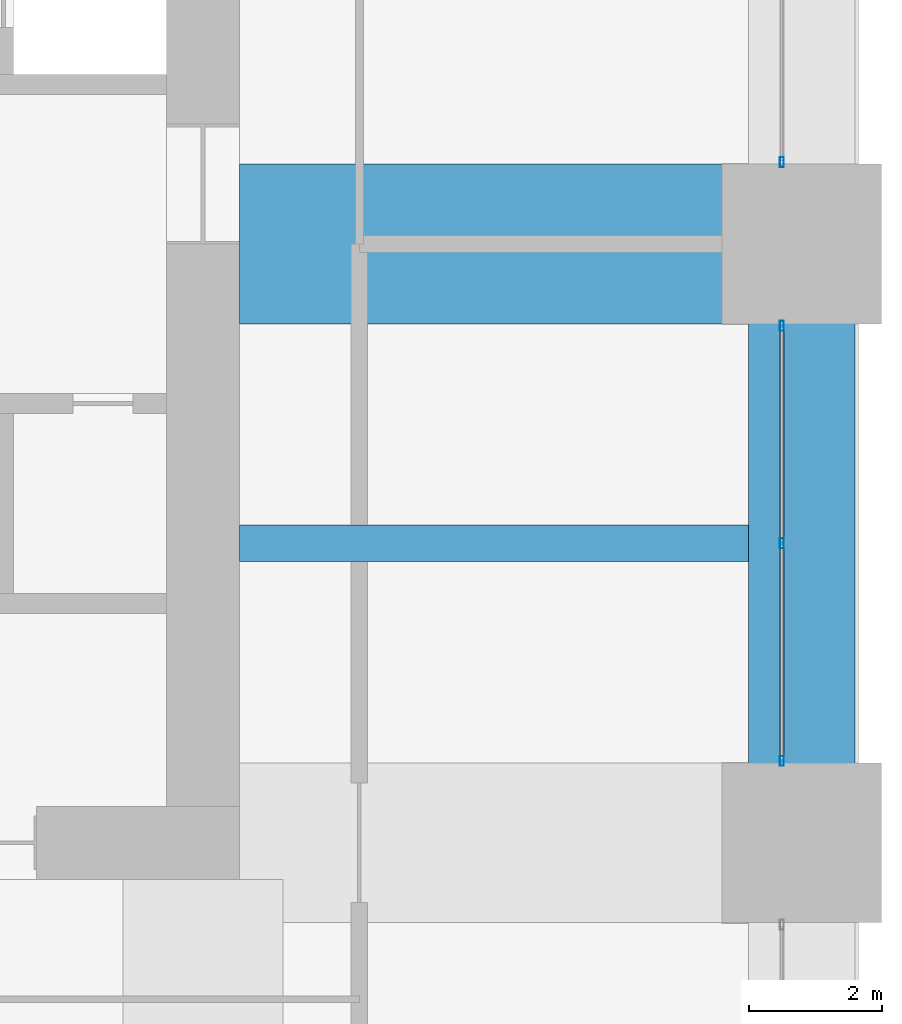
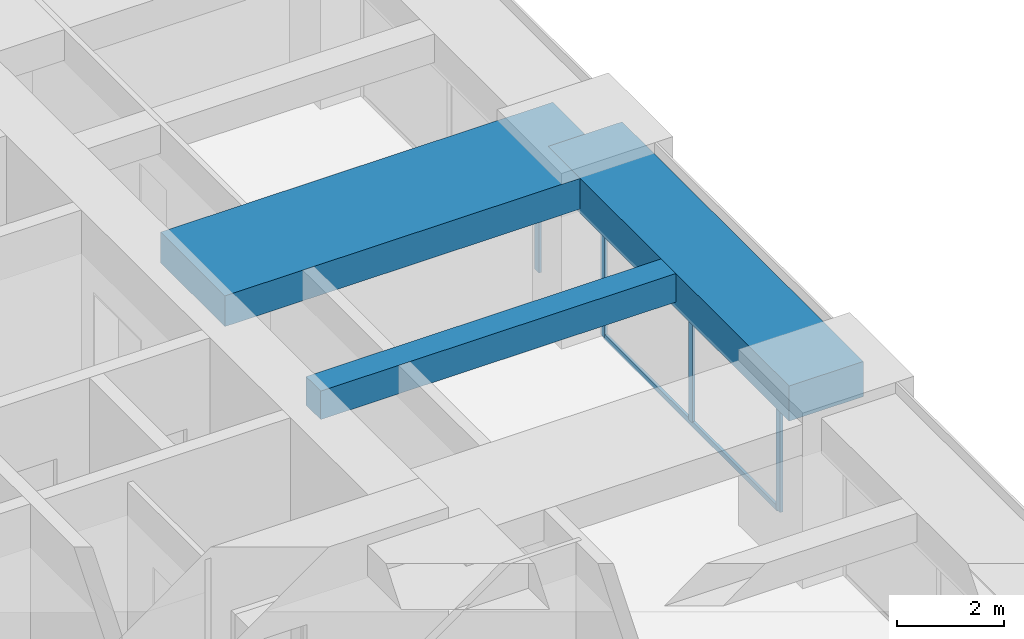
# One storey, part 18 of 34: 5 members, 3 beams, 2 elements without a shape of their own.
"""IFC4 building model written with IfcOpenShell, lengths in metres."""

from ifc_helpers import new_model, si_unit, direction, frame, origin, origin_2d, place, context, subcontext, project, spatial, rectangle, hollow_rectangle, extrude, material, material_profile, profile_set, type_object, element, aggregate, save


model = new_model("IFC4")

# Units and contexts
model_context = context("Model", 3, precision=1e-05, world=origin(), true_north=direction((0.0, 1.0)))
body_context = subcontext(model_context, "Body", "Model", "MODEL_VIEW")
ifc_project = project(units=[si_unit("LENGTHUNIT", "METRE"), si_unit("AREAUNIT", "SQUARE_METRE"), si_unit("VOLUMEUNIT", "CUBIC_METRE"), si_unit("PLANEANGLEUNIT", "RADIAN"), si_unit("MASSUNIT", "GRAM", prefix="KILO")], contexts=[model_context])

# Site, building, storey
site_placement = place(None, origin())
site = spatial("IfcSite", under=ifc_project, at=site_placement, CompositionType="ELEMENT")
building_placement = place(site_placement, origin())
building = spatial("IfcBuilding", under=site, at=building_placement, Name="Zorevar Civic Tower", CompositionType="ELEMENT")
storey_placement = place(building_placement, frame((0.0, 0.0, 226.199951171875)))
storey = spatial("IfcBuildingStorey", under=building, at=storey_placement, Name="L55", CompositionType="ELEMENT", Elevation=226.199951171875)

# Beams
ifc_material_1 = material(Name="Concrete C50/60", Category="concrete")
ifc_material_profile_1 = material_profile(ifc_material_1, rectangle(XDim=2.39990234375, YDim=0.699951171875, at=origin_2d()), Name="RC 2400x700")
ifc_profile_set_1 = profile_set([ifc_material_profile_1], Name="Concrete C50/60")
beam_type_1 = type_object("IfcBeamType", Name="Beam RC 2400x700", PredefinedType="BEAM", material=ifc_profile_set_1)
beam_1_placement = place(storey_placement, frame((45.550048828125, 27.0, 3.400146484375), z_axis=(1.0, 0.0, 0.0), x_axis=(0.0, 1.0, 0.0)))
element("IfcBeam", 1, at=beam_1_placement, inside=storey, type_object=beam_type_1, Name="Girder L56", PredefinedType="BEAM", context=body_context, shape_type="SweptSolid", body=[
    extrude(rectangle(XDim=2.39990234375, YDim=0.699951171875, at=origin_2d()), origin(), (0.0, 0.0, 1.0), 8.449951171875),
])
ifc_material_2 = material(Name="Concrete C50/60", Category="concrete")
ifc_material_profile_2 = material_profile(ifc_material_2, rectangle(XDim=0.550048828125, YDim=0.64990234375, at=origin_2d()), Name="RC 550x650")
ifc_profile_set_2 = profile_set([ifc_material_profile_2], Name="Concrete C50/60")
beam_type_2 = type_object("IfcBeamType", Name="Beam RC 550x650", PredefinedType="BEAM", material=ifc_profile_set_2)
beam_2_placement = place(storey_placement, frame((45.550048828125, 22.5, 3.425048828125), z_axis=(1.0, 0.0, 0.0), x_axis=(0.0, 1.0, 0.0)))
element("IfcBeam", 2, at=beam_2_placement, inside=storey, type_object=beam_type_2, Name="Secondary beam L56", PredefinedType="BEAM", context=body_context, shape_type="SweptSolid", body=[
    extrude(rectangle(XDim=0.550048828125, YDim=0.64990234375, at=origin_2d()), origin(), (0.0, 0.0, 1.0), 7.64990234375),
])

# Curtain wall, members
ifc_material_3 = material(Name="Dark grey solar-control glass in black aluminium frame", Category="aluminium")
curtain_wall_type = type_object("IfcCurtainWallType", Name="Curtain wall CW4 high zone", PredefinedType="NOTDEFINED", material=ifc_material_3)
curtain_wall_1_placement = place(storey_placement, origin())
curtain_wall_1 = element("IfcCurtainWall", 3, at=curtain_wall_1_placement, inside=storey, type_object=curtain_wall_type, Name="CW4 L55", PredefinedType="NOTDEFINED")
ifc_material_4 = material(Name="Aluminium, black anodised", Category="aluminium")
ifc_material_profile_3 = material_profile(ifc_material_4, hollow_rectangle(XDim=0.06005859375, YDim=0.14990234375, WallThickness=0.00390625, at=origin_2d()), Name="AL 150x60x4")
ifc_profile_set_3 = profile_set([ifc_material_profile_3], Name="Aluminium, black anodised")
member_type_1 = type_object("IfcMemberType", Name="CW4 mullion AL 150x60x4", PredefinedType="MULLION", material=ifc_profile_set_3)
member_1_placement = place(storey_placement, frame((53.699951171875, 19.22998046875, 0.0), z_axis=(0.0, 0.0, 1.0), x_axis=(-1.0, 0.0, 0.0)))
member_1 = element("IfcMember", 4, at=member_1_placement, type_object=member_type_1, Name="CW4 mullion 1", PredefinedType="MULLION", context=body_context, shape_type="SweptSolid", body=[
    extrude(hollow_rectangle(XDim=0.06005859375, YDim=0.14990234375, WallThickness=0.00390625, at=origin_2d()), origin(), (0.0, 0.0, 1.0), 2.949951171875),
])
member_2_placement = place(storey_placement, frame((53.699951171875, 22.5, 0.06005859375), z_axis=(0.0, 0.0, 1.0), x_axis=(-1.0, 0.0, 0.0)))
member_2 = element("IfcMember", 5, at=member_2_placement, type_object=member_type_1, Name="CW4 mullion 2", PredefinedType="MULLION", context=body_context, shape_type="SweptSolid", body=[
    extrude(hollow_rectangle(XDim=0.06005859375, YDim=0.14990234375, WallThickness=0.00390625, at=origin_2d()), origin(), (0.0, 0.0, 1.0), 2.889892578125),
])
member_3_placement = place(storey_placement, frame((53.699951171875, 25.77001953125, 0.0), z_axis=(0.0, 0.0, 1.0), x_axis=(-1.0, 0.0, 0.0)))
member_3 = element("IfcMember", 6, at=member_3_placement, type_object=member_type_1, Name="CW4 mullion 3", PredefinedType="MULLION", context=body_context, shape_type="SweptSolid", body=[
    extrude(hollow_rectangle(XDim=0.06005859375, YDim=0.14990234375, WallThickness=0.00390625, at=origin_2d()), origin(), (0.0, 0.0, 1.0), 2.949951171875),
])

# Curtain wall, member
curtain_wall_2_placement = place(storey_placement, origin())
curtain_wall_2 = element("IfcCurtainWall", 7, at=curtain_wall_2_placement, inside=storey, type_object=curtain_wall_type, Name="CW4 L55", PredefinedType="NOTDEFINED")
member_4_placement = place(storey_placement, frame((53.699951171875, 28.22998046875, 0.0), z_axis=(0.0, 0.0, 1.0), x_axis=(-1.0, 0.0, 0.0)))
member_4 = element("IfcMember", 8, at=member_4_placement, type_object=member_type_1, Name="CW4 mullion 1", PredefinedType="MULLION", context=body_context, shape_type="SweptSolid", body=[
    extrude(hollow_rectangle(XDim=0.06005859375, YDim=0.14990234375, WallThickness=0.00390625, at=origin_2d()), origin(), (0.0, 0.0, 1.0), 2.949951171875),
])
aggregate(curtain_wall_2, [member_4])

# Member
ifc_material_5 = material(Name="Aluminium, black anodised", Category="aluminium")
ifc_material_profile_4 = material_profile(ifc_material_5, hollow_rectangle(XDim=0.06005859375, YDim=0.1201171875, WallThickness=0.0029296875, at=origin_2d()), Name="AL 120x60x3")
ifc_profile_set_4 = profile_set([ifc_material_profile_4], Name="Aluminium, black anodised")
member_type_2 = type_object("IfcMemberType", Name="CW4 transom AL 120x60x3", PredefinedType="USERDEFINED", material=ifc_profile_set_4)
member_5_placement = place(storey_placement, frame((53.699951171875, 19.260009765625, 0.030029296875), z_axis=(0.0, 1.0, 0.0), x_axis=(-1.0, 0.0, 0.0)))
member_5 = element("IfcMember", 9, at=member_5_placement, type_object=member_type_2, Name="CW4 sill transom", ObjectType="TRANSOM", PredefinedType="USERDEFINED", context=body_context, shape_type="SweptSolid", body=[
    extrude(hollow_rectangle(XDim=0.06005859375, YDim=0.1201171875, WallThickness=0.0029296875, at=origin_2d()), origin(), (0.0, 0.0, 1.0), 6.47998046875),
])

aggregate(curtain_wall_1, [member_1, member_2, member_3, member_5])

# Beam
ifc_material_6 = material(Name="Concrete C50/60", Category="concrete")
ifc_material_profile_5 = material_profile(ifc_material_6, rectangle(XDim=1.60009765625, YDim=0.800048828125, at=origin_2d()), Name="RC 1600x800")
ifc_profile_set_5 = profile_set([ifc_material_profile_5], Name="Concrete C50/60")
beam_type_3 = type_object("IfcBeamType", Name="Edge beam RC 1600x800", PredefinedType="SPANDREL", material=ifc_profile_set_5)
beam_3_placement = place(storey_placement, frame((54.0, 18.0, 3.35009765625), z_axis=(0.0, 1.0, 0.0), x_axis=(-1.0, 0.0, 0.0)))
element("IfcBeam", 10, at=beam_3_placement, inside=storey, type_object=beam_type_3, Name="Edge beam L56", PredefinedType="SPANDREL", context=body_context, shape_type="SweptSolid", body=[
    extrude(rectangle(XDim=1.60009765625, YDim=0.800048828125, at=origin_2d()), origin(), (0.0, 0.0, 1.0), 9.0),
])

save(model, "model.ifc")
